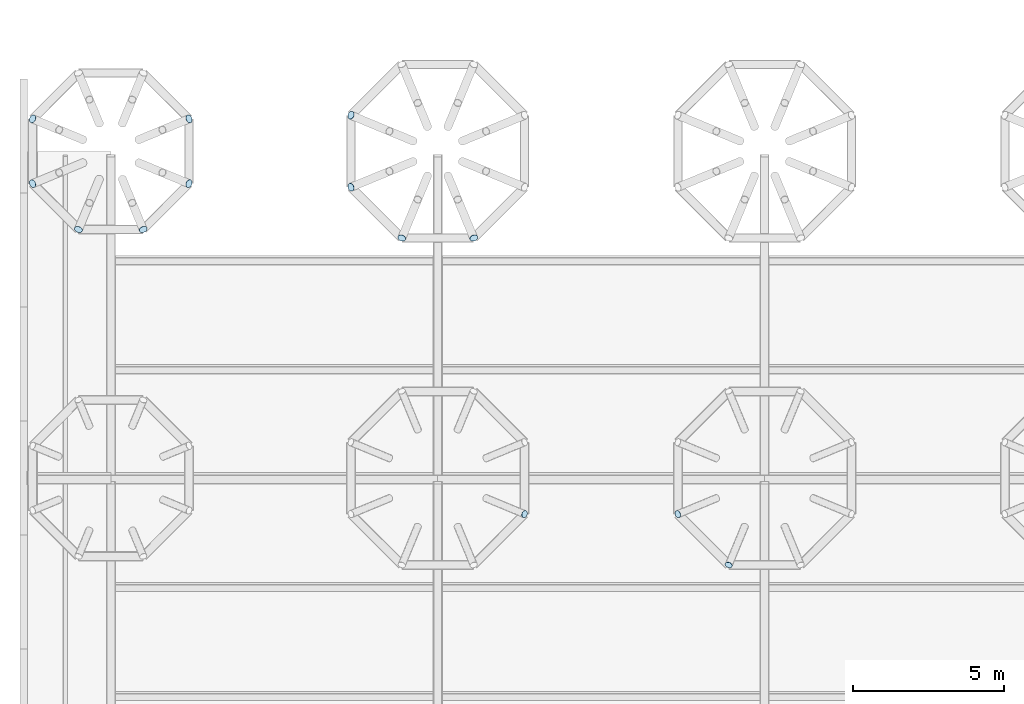
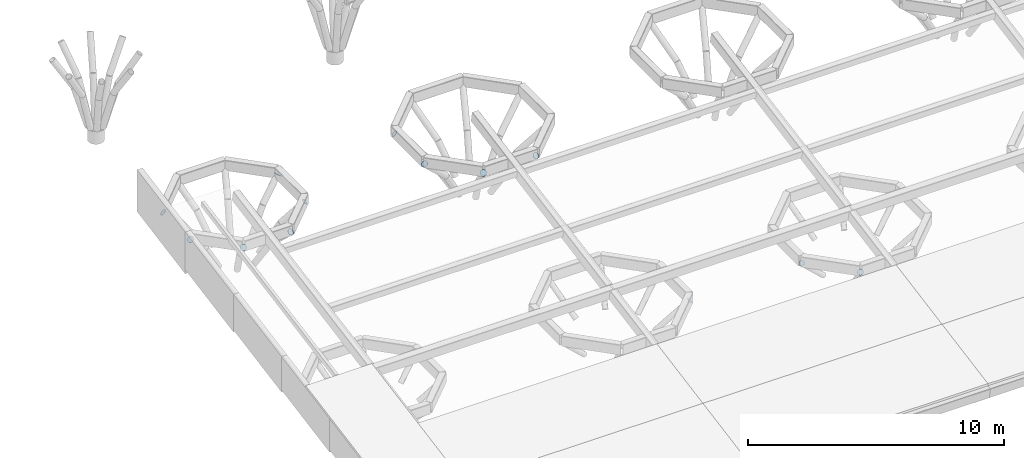
# One storey, part 21 of 42: 13 plates.
"""IFC4 building model written with IfcOpenShell, lengths in metres."""

from ifc_helpers import new_model, si_unit, direction, frame, origin, origin_2d, place, context, subcontext, project, spatial, circle, extrude, material, material_profile, profile_set, type_object, element, save


model = new_model("IFC4")

# Units and contexts
model_context = context("Model", 3, precision=1e-05, world=origin(), true_north=direction((0.0, 1.0)))
body_context = subcontext(model_context, "Body", "Model", "MODEL_VIEW")
ifc_project = project(units=[si_unit("LENGTHUNIT", "METRE"), si_unit("AREAUNIT", "SQUARE_METRE"), si_unit("VOLUMEUNIT", "CUBIC_METRE"), si_unit("PLANEANGLEUNIT", "RADIAN"), si_unit("MASSUNIT", "GRAM", prefix="KILO")], contexts=[model_context])

# Site, building, storey
site_placement = place(None, origin())
site = spatial("IfcSite", under=ifc_project, at=site_placement, CompositionType="ELEMENT")
building_placement = place(site_placement, origin())
building = spatial("IfcBuilding", under=site, at=building_placement, Name="Magnolia Steps Interchange", CompositionType="ELEMENT")
storey_placement = place(building_placement, frame((0.0, 0.0, 12.60009765625)))
storey = spatial("IfcBuildingStorey", under=building, at=storey_placement, Name="L03", CompositionType="ELEMENT", Elevation=12.60009765625)

# Plates
ifc_material_1 = material(Name="Steel Q355B", Category="steel")
ifc_material_profile_1 = material_profile(ifc_material_1, circle(Radius=0.12255859375, at=origin_2d()), Name="End plate CHS245x12")
ifc_profile_set_1 = profile_set([ifc_material_profile_1], Name="Steel Q355B")
plate_type_1 = type_object("IfcPlateType", Name="End plate CHS245x12", PredefinedType="SHEET", material=ifc_profile_set_1)
for number, where, z_axis, x_axis, name in (
    (1, (66.864013671875, 62.813720703125, 1.349853515625), (0.664583318381, -0.275279424158, 0.694658370398), (0.382683432789, 0.923879532336, 0.0), "End plate Tree rib"),
    (2, (71.93603515625, 62.813720703125, 1.349853515625), (-0.664583318381, -0.275279424158, 0.694658370398), (0.382683432789, -0.923879532336, 0.0), "End plate Tree rib"),
    (3, (73.61376953125, 61.135986328125, 1.349853515625), (-0.275279424158, -0.664583318381, 0.694658370398), (0.923879532336, -0.382683432789, 0.0), "End plate Tree rib"),
):
    element("IfcPlate", number, at=place(storey_placement, frame(where, z_axis=z_axis, x_axis=x_axis)), inside=storey, type_object=plate_type_1, Name=name, PredefinedType="SHEET", context=body_context, shape_type="SweptSolid", body=[
        extrude(circle(Radius=0.12255859375, at=origin_2d()), origin(), (0.0, 0.0, 1.0), 0.008056640625),
    ])
ifc_material_2 = material(Name="Steel Q355B", Category="steel")
ifc_material_profile_2 = material_profile(ifc_material_2, circle(Radius=0.136474609375, at=origin_2d()), Name="End plate CHS273x14")
ifc_profile_set_2 = profile_set([ifc_material_profile_2], Name="Steel Q355B")
plate_type_2 = type_object("IfcPlateType", Name="End plate CHS273x14", PredefinedType="SHEET", material=ifc_profile_set_2)
for number, where, z_axis, x_axis, name in (
    (4, (55.780029296875, 75.86865234375, 3.325439453125), (0.664583318381, 0.275279424158, 0.694658370398), (-0.382683432789, 0.923879532336, 0.0), "End plate Tree rib"),
    (5, (50.6201171875, 75.86865234375, 3.325439453125), (-0.664583318381, 0.275279424158, 0.694658370398), (-0.382683432789, -0.923879532336, 0.0), "End plate Tree rib"),
    (6, (50.6201171875, 73.731201171875, 3.325439453125), (-0.664583318381, -0.275279424158, 0.694658370398), (0.382683432789, -0.923879532336, 0.0), "End plate Tree rib"),
    (7, (52.13134765625, 72.219970703125, 3.325439453125), (-0.275279424158, -0.664583318381, 0.694658370398), (0.923879532336, -0.382683432789, 0.0), "End plate Tree rib"),
    (8, (54.268798828125, 72.219970703125, 3.325439453125), (0.275279424158, -0.664583318381, 0.694658370398), (0.923879532336, 0.382683432789, 0.0), "End plate Tree rib"),
    (9, (55.780029296875, 73.731201171875, 3.325439453125), (0.664583318381, -0.275279424158, 0.694658370398), (0.382683432789, 0.923879532336, 0.0), "End plate Tree rib"),
    (10, (61.135986328125, 75.986328125, 3.325439453125), (-0.664583318381, 0.275279424158, 0.694658370398), (-0.382683432789, -0.923879532336, 0.0), "End plate Tree rib"),
    (11, (61.135986328125, 73.61376953125, 3.325439453125), (-0.664583318381, -0.275279424158, 0.694658370398), (0.382683432789, -0.923879532336, 0.0), "End plate Tree rib"),
    (12, (62.813720703125, 71.93603515625, 3.325439453125), (-0.275279424158, -0.664583318381, 0.694658370398), (0.923879532336, -0.382683432789, 0.0), "End plate Tree rib"),
    (13, (65.186279296875, 71.93603515625, 3.325439453125), (0.275279424158, -0.664583318381, 0.694658370398), (0.923879532336, 0.382683432789, 0.0), "End plate Tree rib"),
):
    element("IfcPlate", number, at=place(storey_placement, frame(where, z_axis=z_axis, x_axis=x_axis)), inside=storey, type_object=plate_type_2, Name=name, PredefinedType="SHEET", context=body_context, shape_type="SweptSolid", body=[
        extrude(circle(Radius=0.136474609375, at=origin_2d()), origin(), (0.0, 0.0, 1.0), 0.008056640625),
    ])

save(model, "model.ifc")
